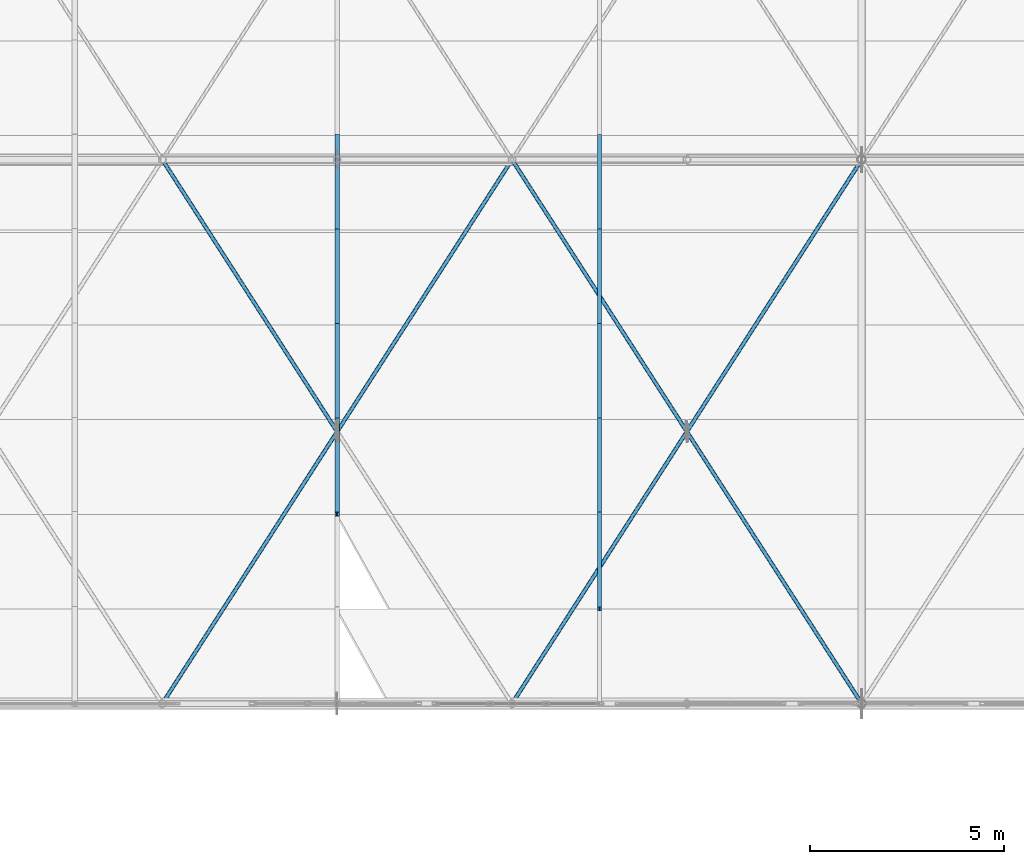
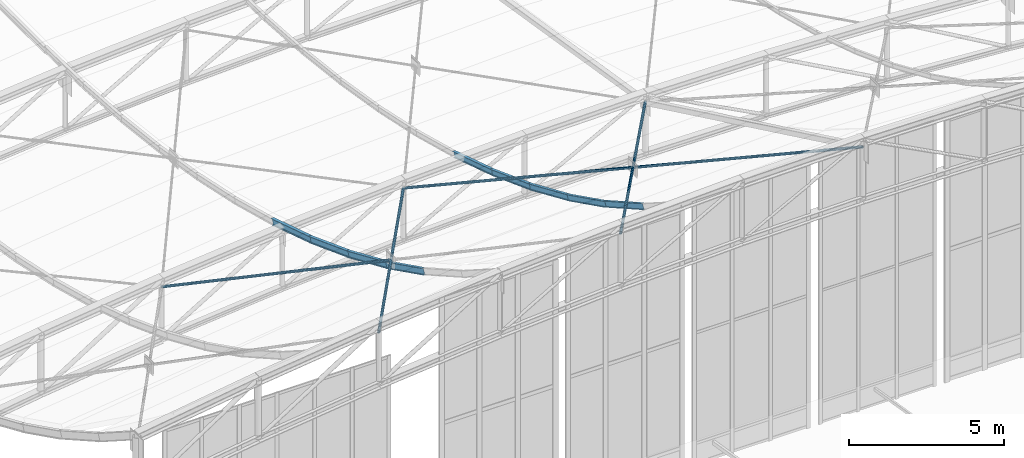
# One storey, part 142 of 262: 14 members.
"""IFC4 building model written with IfcOpenShell, lengths in metres."""

from ifc_helpers import new_model, si_unit, derived_unit, direction, frame, origin, origin_2d, place, context, subcontext, project, spatial, hollow_circle, i_section, extrude, material, material_profile, profile_set, type_object, element, save


model = new_model("IFC4")

# Units and contexts
model_context = context("Model", 3, precision=1e-05, world=origin(), true_north=direction((0.0, 1.0)))
body_context = subcontext(model_context, "Body", "Model", "MODEL_VIEW")
ifc_project = project(units=[si_unit("LENGTHUNIT", "METRE"), si_unit("AREAUNIT", "SQUARE_METRE"), si_unit("VOLUMEUNIT", "CUBIC_METRE"), si_unit("PLANEANGLEUNIT", "RADIAN"), si_unit("MASSUNIT", "GRAM", prefix="KILO"), derived_unit("THERMALTRANSMITTANCEUNIT", [(si_unit("POWERUNIT", "WATT"), 1), (si_unit("LENGTHUNIT", "METRE"), -2), (si_unit("THERMODYNAMICTEMPERATUREUNIT", "KELVIN"), -1)])], contexts=[model_context])

# Site, building, storey
site_placement = place(None, origin())
site = spatial("IfcSite", under=ifc_project, at=site_placement, CompositionType="ELEMENT")
building_placement = place(site_placement, origin())
building = spatial("IfcBuilding", under=site, at=building_placement, Name="Almenara Railside Exhibition Hall", CompositionType="ELEMENT")
storey_placement = place(building_placement, frame((0.0, 0.0, 21.699951171875)))
storey = spatial("IfcBuildingStorey", under=building, at=storey_placement, Name="RF", CompositionType="ELEMENT", Elevation=21.699951171875)

# Members
ifc_material = material(Name="Structural steel S355JR", Category="steel")
ifc_material_profile_1 = material_profile(ifc_material, i_section(OverallWidth=0.110107421875, OverallDepth=0.219970703125, WebThickness=0.005859375, FlangeThickness=0.00927734375, FilletRadius=0.011962890625, at=origin_2d()), Name="IPE 220")
ifc_profile_set_1 = profile_set([ifc_material_profile_1], Name="Structural steel S355JR")
member_type_1 = type_object("IfcMemberType", Name="Heavy Hall Roof Purlin IPE 220 S355JR", PredefinedType="PURLIN", material=ifc_profile_set_1)
member_1_placement = place(storey_placement, frame((158.25, 36.436767578125, 2.16748046875), z_axis=(0.0, 0.870483227181, -0.492198081261), x_axis=(-1.0, 0.0, 0.0)))
element("IfcMember", 1, at=member_1_placement, inside=storey, type_object=member_type_1, Name="MEM-PR-V2-PR-IPE220-03-01", PredefinedType="PURLIN", context=body_context, shape_type="SweptSolid", body=[
    extrude(i_section(OverallWidth=0.110107421875, OverallDepth=0.219970703125, WebThickness=0.005859375, FlangeThickness=0.00927734375, FilletRadius=0.011962890625, at=origin_2d()), origin(), (0.0, 0.0, 1.0), 2.799072265625),
])
member_2_placement = place(storey_placement, frame((158.25, 38.873291015625, 0.7822265625), z_axis=(0.0, 0.895376074457, -0.445310773831), x_axis=(-1.0, 0.0, 0.0)))
element("IfcMember", 2, at=member_2_placement, inside=storey, type_object=member_type_1, Name="MEM-PR-V2-PR-IPE220-03-02", PredefinedType="PURLIN", context=body_context, shape_type="SweptSolid", body=[
    extrude(i_section(OverallWidth=0.110107421875, OverallDepth=0.219970703125, WebThickness=0.005859375, FlangeThickness=0.00927734375, FilletRadius=0.011962890625, at=origin_2d()), origin(), (0.0, 0.0, 1.0), 2.721435546875),
])
member_3_placement = place(storey_placement, frame((158.25, 41.31005859375, -0.421630859375), z_axis=(0.0, 0.917189812532, -0.398450558775), x_axis=(-1.0, 0.0, 0.0)))
element("IfcMember", 3, at=member_3_placement, inside=storey, type_object=member_type_1, Name="MEM-PR-V2-PR-IPE220-03-03", PredefinedType="PURLIN", context=body_context, shape_type="SweptSolid", body=[
    extrude(i_section(OverallWidth=0.110107421875, OverallDepth=0.219970703125, WebThickness=0.005859375, FlangeThickness=0.00927734375, FilletRadius=0.011962890625, at=origin_2d()), origin(), (0.0, 0.0, 1.0), 2.65673828125),
])
member_4_placement = place(storey_placement, frame((158.25, 43.746826171875, -1.473388671875), z_axis=(0.0, 0.936171044044, -0.351544842508), x_axis=(-1.0, 0.0, 0.0)))
element("IfcMember", 4, at=member_4_placement, inside=storey, type_object=member_type_1, Name="MEM-PR-V2-PR-IPE220-03-04", PredefinedType="PURLIN", context=body_context, shape_type="SweptSolid", body=[
    extrude(i_section(OverallWidth=0.110107421875, OverallDepth=0.219970703125, WebThickness=0.005859375, FlangeThickness=0.00927734375, FilletRadius=0.011962890625, at=origin_2d()), origin(), (0.0, 0.0, 1.0), 2.60302734375),
])
member_5_placement = place(storey_placement, frame((158.25, 46.18359375, -2.3828125), z_axis=(0.0, 0.952440767254, -0.304723784553), x_axis=(-1.0, 0.0, 0.0)))
element("IfcMember", 5, at=member_5_placement, inside=storey, type_object=member_type_1, Name="MEM-PR-V2-PR-IPE220-03-05", PredefinedType="PURLIN", context=body_context, shape_type="SweptSolid", body=[
    extrude(i_section(OverallWidth=0.110107421875, OverallDepth=0.219970703125, WebThickness=0.005859375, FlangeThickness=0.00927734375, FilletRadius=0.011962890625, at=origin_2d()), origin(), (0.0, 0.0, 1.0), 2.55810546875),
])
ifc_material_profile_2 = material_profile(ifc_material, i_section(OverallWidth=0.1201171875, OverallDepth=0.239990234375, WebThickness=0.006103515625, FlangeThickness=0.009765625, FilletRadius=0.014892578125, at=origin_2d()), Name="IPE 240")
ifc_profile_set_2 = profile_set([ifc_material_profile_2], Name="Structural steel S355JR")
member_type_2 = type_object("IfcMemberType", Name="Scroll Roof Purlin IPE 240 S355JR", PredefinedType="PURLIN", material=ifc_profile_set_2)
member_6_placement = place(storey_placement, frame((151.5, 38.873291015625, 0.49365234375), z_axis=(0.0, 0.895376074457, -0.445310773831), x_axis=(-1.0, 0.0, 0.0)))
element("IfcMember", 6, at=member_6_placement, inside=storey, type_object=member_type_2, Name="MEM-PR-V2-PR-IPE240-02-02", PredefinedType="PURLIN", context=body_context, shape_type="SweptSolid", body=[
    extrude(i_section(OverallWidth=0.1201171875, OverallDepth=0.239990234375, WebThickness=0.006103515625, FlangeThickness=0.009765625, FilletRadius=0.014892578125, at=origin_2d()), origin(), (0.0, 0.0, 1.0), 2.721435546875),
])
member_7_placement = place(storey_placement, frame((151.5, 41.31005859375, -0.7099609375), z_axis=(0.0, 0.917223393452, -0.398373250237), x_axis=(-1.0, 0.0, 0.0)))
element("IfcMember", 7, at=member_7_placement, inside=storey, type_object=member_type_2, Name="MEM-PR-V2-PR-IPE240-02-03", PredefinedType="PURLIN", context=body_context, shape_type="SweptSolid", body=[
    extrude(i_section(OverallWidth=0.1201171875, OverallDepth=0.239990234375, WebThickness=0.006103515625, FlangeThickness=0.009765625, FilletRadius=0.014892578125, at=origin_2d()), origin(), (0.0, 0.0, 1.0), 2.65673828125),
])
member_8_placement = place(storey_placement, frame((151.5, 43.746826171875, -1.761474609375), z_axis=(0.0, 0.936171044044, -0.351544842508), x_axis=(-1.0, 0.0, 0.0)))
element("IfcMember", 8, at=member_8_placement, inside=storey, type_object=member_type_2, Name="MEM-PR-V2-PR-IPE240-02-04", PredefinedType="PURLIN", context=body_context, shape_type="SweptSolid", body=[
    extrude(i_section(OverallWidth=0.1201171875, OverallDepth=0.239990234375, WebThickness=0.006103515625, FlangeThickness=0.009765625, FilletRadius=0.014892578125, at=origin_2d()), origin(), (0.0, 0.0, 1.0), 2.60302734375),
])
member_9_placement = place(storey_placement, frame((151.5, 46.18359375, -2.670654296875), z_axis=(0.0, 0.952440767254, -0.304723784553), x_axis=(-1.0, 0.0, 0.0)))
element("IfcMember", 9, at=member_9_placement, inside=storey, type_object=member_type_2, Name="MEM-PR-V2-PR-IPE240-02-05", PredefinedType="PURLIN", context=body_context, shape_type="SweptSolid", body=[
    extrude(i_section(OverallWidth=0.1201171875, OverallDepth=0.239990234375, WebThickness=0.006103515625, FlangeThickness=0.009765625, FilletRadius=0.014892578125, at=origin_2d()), origin(), (0.0, 0.0, 1.0), 2.55810546875),
])
ifc_material_profile_3 = material_profile(ifc_material, hollow_circle(Radius=0.05078125, WallThickness=0.00390625, at=origin_2d()), Name="CHS 101.6x4")
ifc_profile_set_3 = profile_set([ifc_material_profile_3], Name="Structural steel S355JR")
member_type_3 = type_object("IfcMemberType", Name="Scroll Wind Plan Brace CHS 101.6x4 S355JR", PredefinedType="BRACE", material=ifc_profile_set_3)
member_10_placement = place(storey_placement, frame((147.0, 34.0, 2.642333984375), z_axis=(0.508874198911, 0.791582087194, -0.338296983309), x_axis=(-0.841178475377, 0.540757591313, 0.0)))
element("IfcMember", 10, at=member_10_placement, inside=storey, type_object=member_type_3, Name="MEM-WB-V2-WB-CHS102-00-02-C", PredefinedType="BRACE", context=body_context, shape_type="SweptSolid", body=[
    extrude(hollow_circle(Radius=0.05078125, WallThickness=0.00390625, at=origin_2d()), origin(), (0.0, 0.0, 1.0), 17.68603515625),
])
member_11_placement = place(storey_placement, frame((151.472900390625, 41.0419921875, -0.37158203125), z_axis=(-0.493557446982, 0.767773988264, -0.408563519509), x_axis=(-0.841184229202, -0.540748640814, 0.0)))
element("IfcMember", 11, at=member_11_placement, inside=storey, type_object=member_type_3, Name="MEM-WB-V2-WB-CHS102-00-02-S2", PredefinedType="BRACE", context=body_context, shape_type="SweptSolid", body=[
    extrude(hollow_circle(Radius=0.05078125, WallThickness=0.00390625, at=origin_2d()), origin(), (0.0, 0.0, 1.0), 9.0625),
])
member_12_placement = place(storey_placement, frame((156.0, 34.0, 3.375732421875), z_axis=(0.503990985455, 0.783985977374, -0.362434923622), x_axis=(-0.841178475377, 0.540757591313, 0.0)))
element("IfcMember", 12, at=member_12_placement, inside=storey, type_object=member_type_3, Name="MEM-WB-V2-WB-CHS102-00-04-C", PredefinedType="BRACE", context=body_context, shape_type="SweptSolid", body=[
    extrude(hollow_circle(Radius=0.05078125, WallThickness=0.00390625, at=origin_2d()), origin(), (0.0, 0.0, 1.0), 17.857421875),
])
for number, where, z_axis, x_axis, name in (
    (13, (165.0, 34.0, 3.6201171875), (-0.498875730547, 0.776034965564, -0.38586621735), (-0.841180393455, -0.540754607625, 0.0), "MEM-WB-V2-WB-CHS102-00-04-S1"),
    (14, (160.47265625, 41.04248046875, 0.11865234375), (-0.498875730547, 0.776034965564, -0.38586621735), (-0.841180393455, -0.540754607625, 0.0), "MEM-WB-V2-WB-CHS102-00-04-S2"),
):
    element("IfcMember", number, at=place(storey_placement, frame(where, z_axis=z_axis, x_axis=x_axis)), inside=storey, type_object=member_type_3, Name=name, PredefinedType="BRACE", context=body_context, shape_type="SweptSolid", body=[
        extrude(hollow_circle(Radius=0.05078125, WallThickness=0.00390625, at=origin_2d()), origin(), (0.0, 0.0, 1.0), 8.965576171875),
    ])

save(model, "model.ifc")
